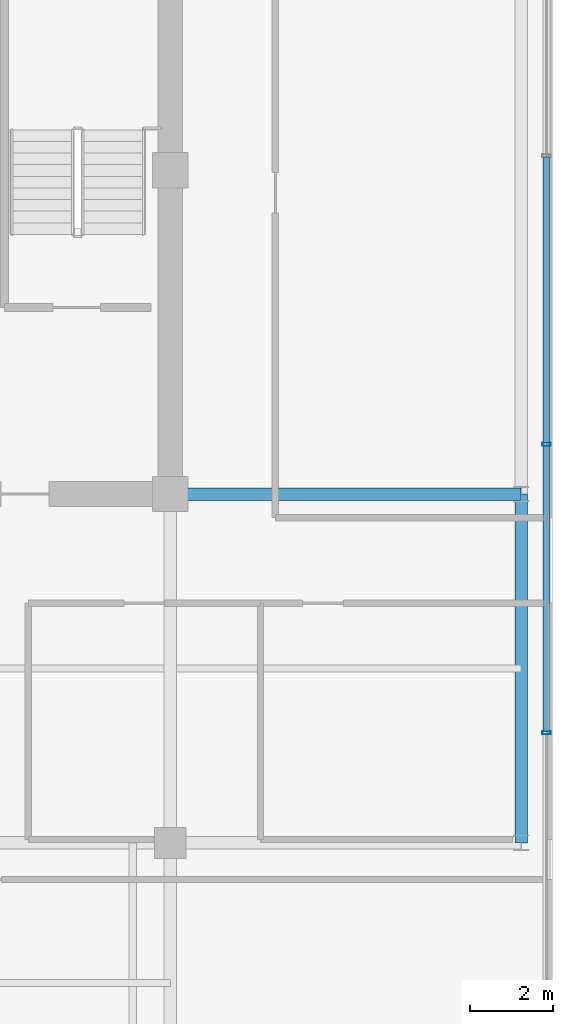
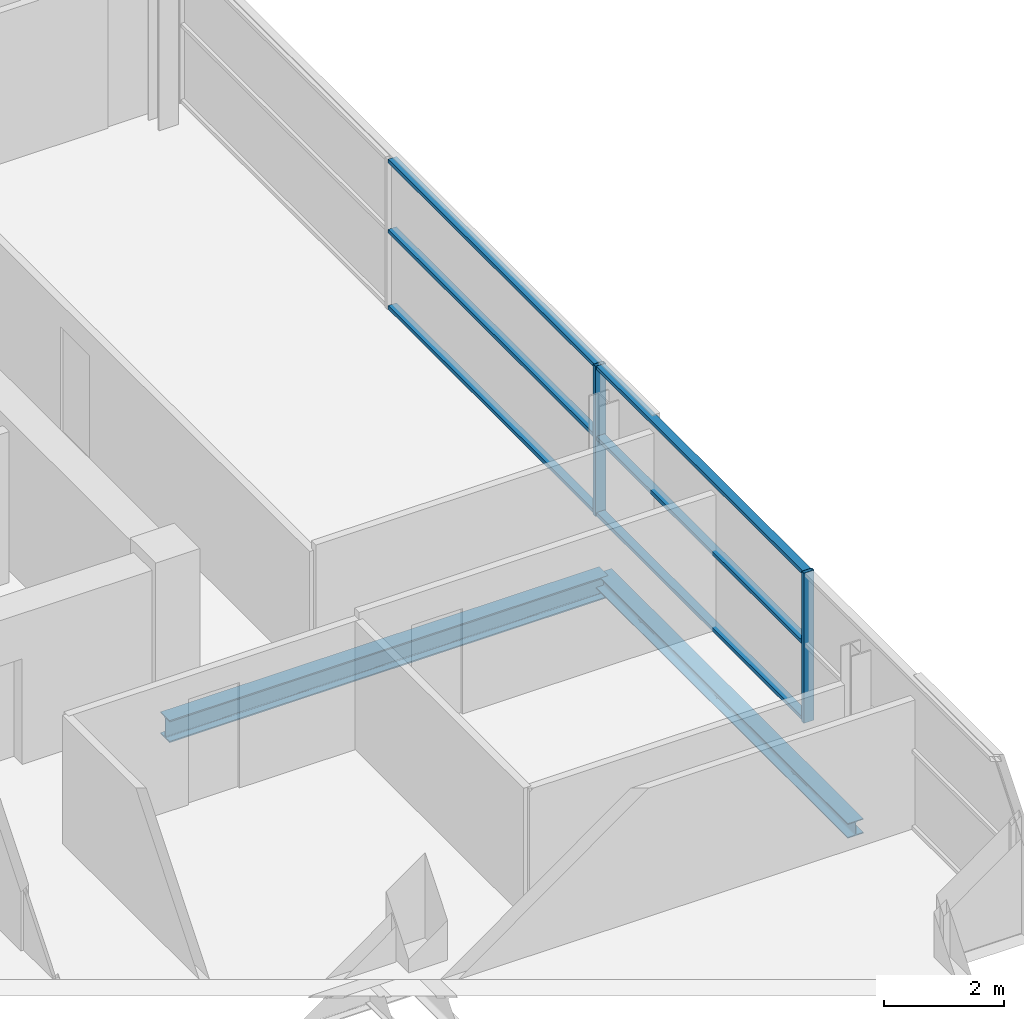
# One storey, part 9 of 21: 8 members, 2 beams, 1 element without a shape of its own.
"""IFC4 building model written with IfcOpenShell, lengths in metres."""

from ifc_helpers import new_model, si_unit, direction, frame, origin, origin_2d, place, context, subcontext, project, spatial, hollow_rectangle, i_section, extrude, source, transform, mapped, material, layer, layer_set, material_profile, profile_set, type_object, element, aggregate, save


model = new_model("IFC4")

# Units and contexts
model_context = context("Model", 3, precision=1e-05, world=origin(), true_north=direction((0.0, 1.0)))
body_context = subcontext(model_context, "Body", "Model", "MODEL_VIEW")
ifc_project = project(units=[si_unit("LENGTHUNIT", "METRE"), si_unit("AREAUNIT", "SQUARE_METRE"), si_unit("VOLUMEUNIT", "CUBIC_METRE"), si_unit("PLANEANGLEUNIT", "RADIAN"), si_unit("MASSUNIT", "GRAM", prefix="KILO")], contexts=[model_context])

# Site, building, storey
site_placement = place(None, origin())
site = spatial("IfcSite", under=ifc_project, at=site_placement, CompositionType="ELEMENT")
building_placement = place(site_placement, origin())
building = spatial("IfcBuilding", under=site, at=building_placement, Name="Zarnakvel Exchange Tower", CompositionType="ELEMENT")
storey_placement = place(building_placement, frame((0.0, 0.0, 248.5)))
storey = spatial("IfcBuildingStorey", under=building, at=storey_placement, Name="L70", CompositionType="ELEMENT", Elevation=248.5)

# Beams
ifc_material_1 = material(Name="Steel S355", Category="steel")
ifc_material_profile_1 = material_profile(ifc_material_1, i_section(OverallWidth=0.300048828125, OverallDepth=0.449951171875, WebThickness=0.013916015625, FlangeThickness=0.02587890625, FilletRadius=0.027099609375, at=origin_2d()))
ifc_profile_set_1 = profile_set([ifc_material_profile_1], Name="Steel S355")
beam_type_1 = type_object("IfcBeamType", Name="G-07", PredefinedType="BEAM", material=ifc_profile_set_1)
beam_1_placement = place(storey_placement, frame((14.39990234375, -1.199951171875, -0.449951171875), z_axis=(1.0, 0.0, 0.0), x_axis=(0.0, 1.0, 0.0)))
element("IfcBeam", 1, at=beam_1_placement, inside=storey, type_object=beam_type_1, Name="L70 Tower E-W Frame Beam", PredefinedType="BEAM", context=body_context, shape_type="SweptSolid", body=[
    extrude(i_section(OverallWidth=0.300048828125, OverallDepth=0.449951171875, WebThickness=0.013916015625, FlangeThickness=0.02587890625, FilletRadius=0.027099609375, at=origin_2d()), origin(), (0.0, 0.0, 1.0), 8.4501953125),
])
ifc_material_profile_2 = material_profile(ifc_material_1, i_section(OverallWidth=0.300048828125, OverallDepth=0.300048828125, WebThickness=0.010986328125, FlangeThickness=0.01904296875, FilletRadius=0.027099609375, at=origin_2d()))
ifc_profile_set_2 = profile_set([ifc_material_profile_2], Name="Steel S355")
beam_type_2 = type_object("IfcBeamType", Name="SP-03", PredefinedType="SPANDREL", material=ifc_profile_set_2)
beam_2_placement = place(storey_placement, frame((22.85009765625, -9.60009765625, -0.375), z_axis=(0.0, 1.0, 0.0), x_axis=(-1.0, 0.0, 0.0)))
element("IfcBeam", 2, at=beam_2_placement, inside=storey, type_object=beam_type_2, Name="L70 Tower N-S Frame Beam", PredefinedType="SPANDREL", context=body_context, shape_type="SweptSolid", body=[
    extrude(i_section(OverallWidth=0.300048828125, OverallDepth=0.300048828125, WebThickness=0.010986328125, FlangeThickness=0.01904296875, FilletRadius=0.027099609375, at=origin_2d()), origin(), (0.0, 0.0, 1.0), 8.400146484375),
])

# Curtain wall, members
ifc_material_2 = material(Name="Architectural Bronze Anodised Aluminium", Category="aluminium")
ifc_layer = layer(ifc_material_2, 0.199951171875)
ifc_layer_set = layer_set([ifc_layer], Name="Architectural Bronze Anodised Aluminium")
curtain_wall_type = type_object("IfcCurtainWallType", Name="CW-04", PredefinedType="NOTDEFINED", material=ifc_layer_set)
curtain_wall_placement = place(storey_placement, origin())
curtain_wall = element("IfcCurtainWall", 3, at=curtain_wall_placement, inside=storey, type_object=curtain_wall_type, Name="L70 Curtain Wall CW-L70-E1 (CW-04)", PredefinedType="NOTDEFINED")
ifc_material_profile_3 = material_profile(ifc_material_2, hollow_rectangle(XDim=0.199951171875, YDim=0.074951171875, WallThickness=0.0048828125, at=origin_2d()))
ifc_profile_set_3 = profile_set([ifc_material_profile_3], Name="Architectural Bronze Anodised Aluminium")
member_type_1 = type_object("IfcMemberType", Name="CWM-04", PredefinedType="MULLION", material=ifc_profile_set_3)
shared_shape_1 = source(origin(), body_context, "Body", "SweptSolid", [
    extrude(hollow_rectangle(XDim=0.199951171875, YDim=0.074951171875, WallThickness=0.0048828125, at=origin_2d()), origin(), (0.0, 0.0, 1.0), 3.054931640625),
])
member_1_placement = place(storey_placement, frame((23.4599609375, -6.949951171875, 0.0), z_axis=(0.0, 0.0, 1.0), x_axis=(-1.0, 0.0, 0.0)))
member_1 = element("IfcMember", 4, at=member_1_placement, type_object=member_type_1, Name="CW-04 mullion 2", PredefinedType="MULLION", context=body_context, shape_type="MappedRepresentation", body=[
    mapped(shared_shape_1, transform((0.0, 0.0, 0.0), x_axis=(1.0, 0.0, 0.0), y_axis=(0.0, 1.0, 0.0), z_axis=(0.0, 0.0, 1.0), scale=1.0)),
])
member_2_placement = place(storey_placement, frame((23.4599609375, 0.0, 0.0), z_axis=(0.0, 0.0, 1.0), x_axis=(-1.0, 0.0, 0.0)))
member_2 = element("IfcMember", 5, at=member_2_placement, type_object=member_type_1, Name="CW-04 mullion 3", PredefinedType="MULLION", context=body_context, shape_type="MappedRepresentation", body=[
    mapped(shared_shape_1, transform((0.0, 0.0, 0.0), x_axis=(1.0, 0.0, 0.0), y_axis=(0.0, 1.0, 0.0), z_axis=(0.0, 0.0, 1.0), scale=1.0)),
])
ifc_material_profile_4 = material_profile(ifc_material_2, hollow_rectangle(XDim=0.159912109375, YDim=0.074951171875, WallThickness=0.00390625, at=origin_2d()))
ifc_profile_set_4 = profile_set([ifc_material_profile_4], Name="Architectural Bronze Anodised Aluminium")
member_type_2 = type_object("IfcMemberType", Name="CWT-04", PredefinedType="USERDEFINED", material=ifc_profile_set_4)
shared_shape_2 = source(origin(), body_context, "Body", "SweptSolid", [
    extrude(hollow_rectangle(XDim=0.159912109375, YDim=0.074951171875, WallThickness=0.00390625, at=origin_2d()), origin(), (0.0, 0.0, 1.0), 6.875),
])
member_3_placement = place(storey_placement, frame((23.4599609375, -6.91259765625, 0.03759765625), z_axis=(0.0, 1.0, 0.0), x_axis=(-1.0, 0.0, 0.0)))
member_3 = element("IfcMember", 6, at=member_3_placement, type_object=member_type_2, Name="CW-04 transom 2.1", ObjectType="TRANSOM", PredefinedType="USERDEFINED", context=body_context, shape_type="MappedRepresentation", body=[
    mapped(shared_shape_2, transform((0.0, 0.0, 0.0), x_axis=(1.0, 0.0, 0.0), y_axis=(0.0, 1.0, 0.0), z_axis=(0.0, 0.0, 1.0), scale=1.0)),
])
member_4_placement = place(storey_placement, frame((23.4599609375, -6.91259765625, 1.588623046875), z_axis=(0.0, 1.0, 0.0), x_axis=(-1.0, 0.0, 0.0)))
member_4 = element("IfcMember", 7, at=member_4_placement, type_object=member_type_2, Name="CW-04 transom 2.2", ObjectType="TRANSOM", PredefinedType="USERDEFINED", context=body_context, shape_type="MappedRepresentation", body=[
    mapped(shared_shape_2, transform((0.0, 0.0, 0.0), x_axis=(1.0, 0.0, 0.0), y_axis=(0.0, 1.0, 0.0), z_axis=(0.0, 0.0, 1.0), scale=1.0)),
])
member_5_placement = place(storey_placement, frame((23.4599609375, -6.91259765625, 3.017578125), z_axis=(0.0, 1.0, 0.0), x_axis=(-1.0, 0.0, 0.0)))
member_5 = element("IfcMember", 8, at=member_5_placement, type_object=member_type_2, Name="CW-04 transom 2.3", ObjectType="TRANSOM", PredefinedType="USERDEFINED", context=body_context, shape_type="MappedRepresentation", body=[
    mapped(shared_shape_2, transform((0.0, 0.0, 0.0), x_axis=(1.0, 0.0, 0.0), y_axis=(0.0, 1.0, 0.0), z_axis=(0.0, 0.0, 1.0), scale=1.0)),
])
member_6_placement = place(storey_placement, frame((23.4599609375, 0.03759765625, 0.03759765625), z_axis=(0.0, 1.0, 0.0), x_axis=(-1.0, 0.0, 0.0)))
member_6 = element("IfcMember", 9, at=member_6_placement, type_object=member_type_2, Name="CW-04 transom 3.1", ObjectType="TRANSOM", PredefinedType="USERDEFINED", context=body_context, shape_type="MappedRepresentation", body=[
    mapped(shared_shape_2, transform((0.0, 0.0, 0.0), x_axis=(1.0, 0.0, 0.0), y_axis=(0.0, 1.0, 0.0), z_axis=(0.0, 0.0, 1.0), scale=1.0)),
])
member_7_placement = place(storey_placement, frame((23.4599609375, 0.03759765625, 1.588623046875), z_axis=(0.0, 1.0, 0.0), x_axis=(-1.0, 0.0, 0.0)))
member_7 = element("IfcMember", 10, at=member_7_placement, type_object=member_type_2, Name="CW-04 transom 3.2", ObjectType="TRANSOM", PredefinedType="USERDEFINED", context=body_context, shape_type="MappedRepresentation", body=[
    mapped(shared_shape_2, transform((0.0, 0.0, 0.0), x_axis=(1.0, 0.0, 0.0), y_axis=(0.0, 1.0, 0.0), z_axis=(0.0, 0.0, 1.0), scale=1.0)),
])
member_8_placement = place(storey_placement, frame((23.4599609375, 0.03759765625, 3.017578125), z_axis=(0.0, 1.0, 0.0), x_axis=(-1.0, 0.0, 0.0)))
member_8 = element("IfcMember", 11, at=member_8_placement, type_object=member_type_2, Name="CW-04 transom 3.3", ObjectType="TRANSOM", PredefinedType="USERDEFINED", context=body_context, shape_type="MappedRepresentation", body=[
    mapped(shared_shape_2, transform((0.0, 0.0, 0.0), x_axis=(1.0, 0.0, 0.0), y_axis=(0.0, 1.0, 0.0), z_axis=(0.0, 0.0, 1.0), scale=1.0)),
])
aggregate(curtain_wall, [member_1, member_2, member_3, member_4, member_5, member_6, member_7, member_8])

save(model, "model.ifc")
